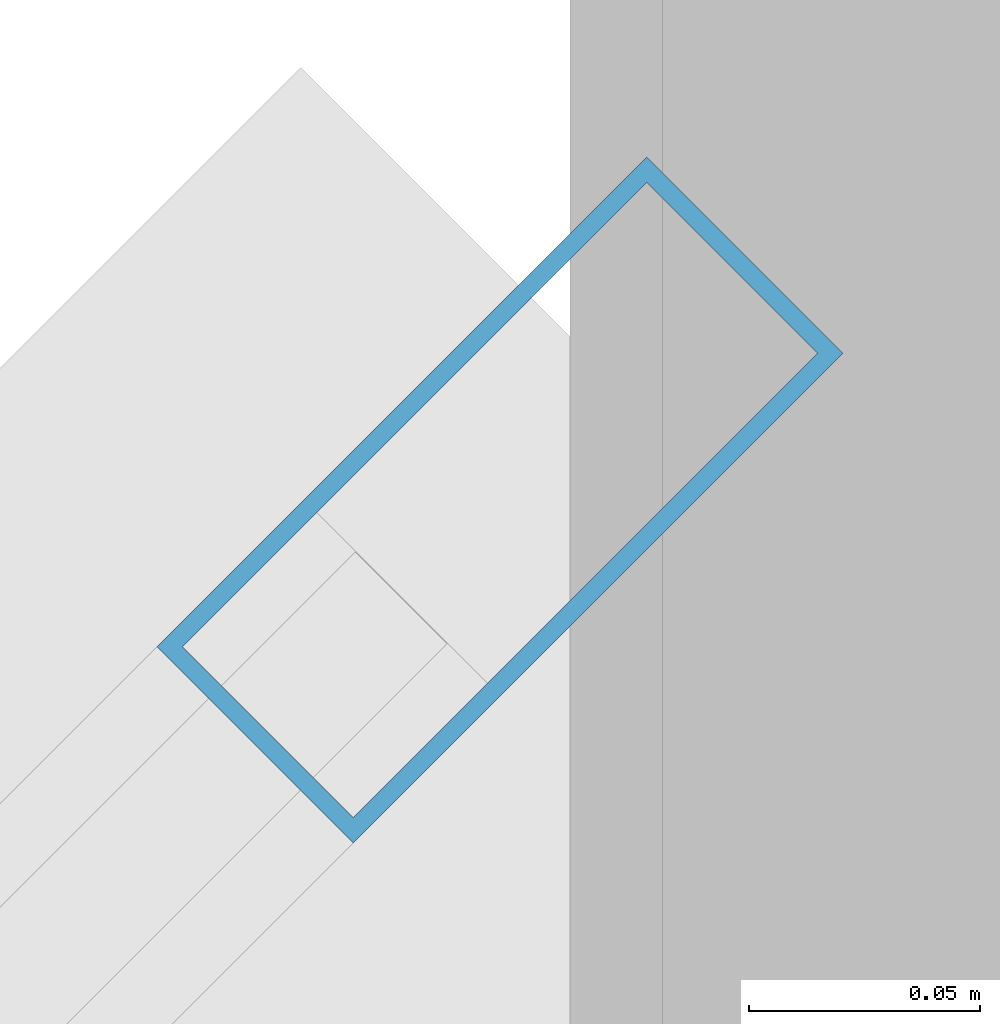
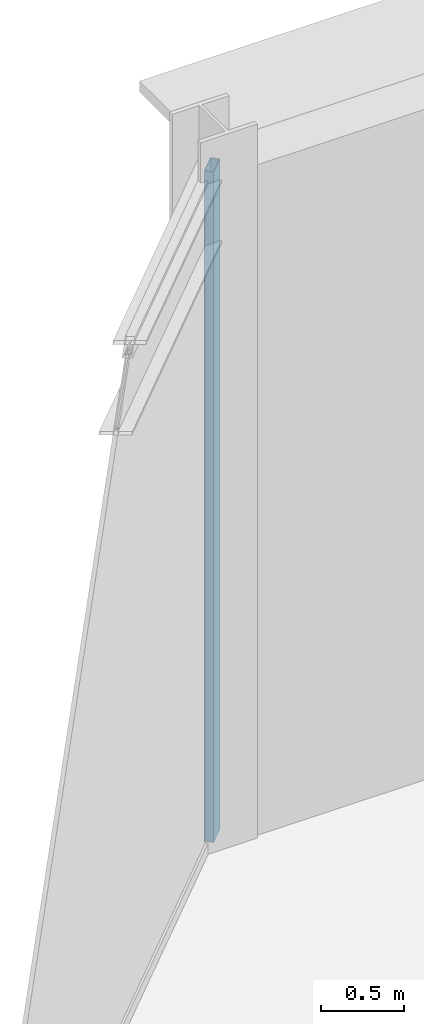
# One storey, part 76 of 168: 1 member, 1 element without a shape of its own.
"""IFC4 building model written with IfcOpenShell, lengths in metres."""

from ifc_helpers import new_model, si_unit, direction, frame, origin, origin_2d, place, context, subcontext, project, spatial, hollow_rectangle, extrude, material, material_profile, profile_set, type_object, element, aggregate, save


model = new_model("IFC4")

# Units and contexts
model_context = context("Model", 3, precision=1e-05, world=origin(), true_north=direction((0.0, 1.0)))
body_context = subcontext(model_context, "Body", "Model", "MODEL_VIEW")
ifc_project = project(units=[si_unit("LENGTHUNIT", "METRE"), si_unit("AREAUNIT", "SQUARE_METRE"), si_unit("VOLUMEUNIT", "CUBIC_METRE"), si_unit("PLANEANGLEUNIT", "RADIAN"), si_unit("MASSUNIT", "GRAM", prefix="KILO")], contexts=[model_context])

# Site, building, storey
site_placement = place(None, origin())
site = spatial("IfcSite", under=ifc_project, at=site_placement, CompositionType="ELEMENT")
building_placement = place(site_placement, origin())
building = spatial("IfcBuilding", under=site, at=building_placement, Name="Almandine Court Research Institute", CompositionType="ELEMENT")
storey_placement = place(building_placement, origin())
storey = spatial("IfcBuildingStorey", under=building, at=storey_placement, Name="L00", CompositionType="ELEMENT", Elevation=0.0)

# Curtain wall, member
ifc_material_1 = material(Name="Unitised Curtain Wall Framing and Solar Glazing", Category="glass")
curtain_wall_type = type_object("IfcCurtainWallType", Name="CW-CWG-04", PredefinedType="USERDEFINED", material=ifc_material_1)
curtain_wall_placement = place(storey_placement, origin())
curtain_wall = element("IfcCurtainWall", 1, at=curtain_wall_placement, inside=storey, type_object=curtain_wall_type, Name="L00 Cleanroom NW Chamfer Glazing", ObjectType="UNITISED GLAZING", PredefinedType="USERDEFINED")
ifc_material_2 = material(Name="Anodised Aluminium AW-6063-T6", Category="aluminium")
ifc_material_profile = material_profile(ifc_material_2, hollow_rectangle(XDim=0.06005859375, YDim=0.14990234375, WallThickness=0.00390625, at=origin_2d()), Name="ALU RHS 60x150x4")
ifc_profile_set = profile_set([ifc_material_profile], Name="Anodised Aluminium AW-6063-T6")
member_type = type_object("IfcMemberType", Name="CWMul-60x150", PredefinedType="MULLION", material=ifc_profile_set)
member_placement = place(storey_placement, frame((10.77490234375, 117.57470703125, 0.0), z_axis=(0.0, 0.0, 1.0), x_axis=(-0.707106781187, 0.707106781187, 0.0)))
member = element("IfcMember", 2, at=member_placement, type_object=member_type, Name="CWG-04 mullion 2", PredefinedType="MULLION", context=body_context, shape_type="SweptSolid", body=[
    extrude(hollow_rectangle(XDim=0.06005859375, YDim=0.14990234375, WallThickness=0.00390625, at=origin_2d()), origin(), (0.0, 0.0, 1.0), 4.929931640625),
])
aggregate(curtain_wall, [member])

save(model, "model.ifc")
